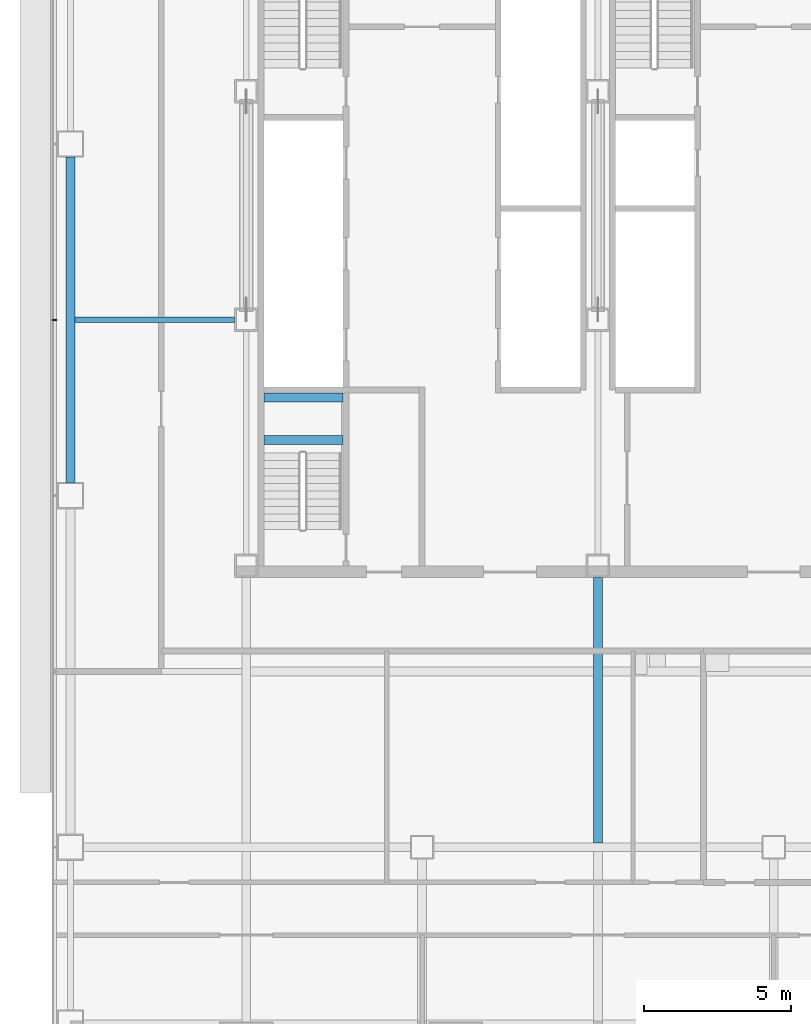
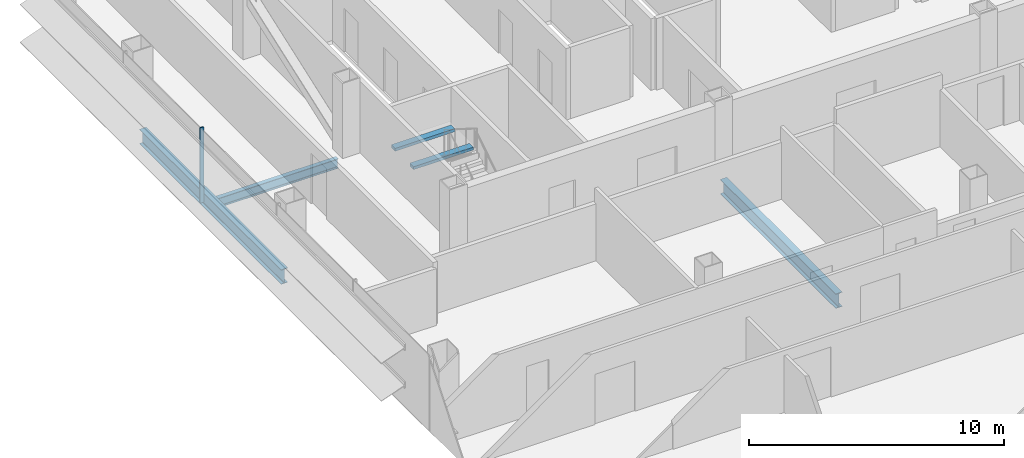
# One storey, part 6 of 26: 5 beams, 1 member, 1 element without a shape of its own.
"""IFC4 building model written with IfcOpenShell, lengths in metres."""

from ifc_helpers import new_model, si_unit, direction, frame, origin, origin_2d, place, context, subcontext, project, spatial, rectangle, i_section, extrude, material, material_profile, profile_set, type_object, element, aggregate, save


model = new_model("IFC4")

# Units and contexts
model_context = context("Model", 3, precision=1e-05, world=origin(), true_north=direction((0.0, 1.0)))
body_context = subcontext(model_context, "Body", "Model", "MODEL_VIEW")
ifc_project = project(units=[si_unit("LENGTHUNIT", "METRE"), si_unit("AREAUNIT", "SQUARE_METRE"), si_unit("VOLUMEUNIT", "CUBIC_METRE"), si_unit("PLANEANGLEUNIT", "RADIAN"), si_unit("MASSUNIT", "GRAM", prefix="KILO")], contexts=[model_context])

# Site, building, storey
site_placement = place(None, origin())
site = spatial("IfcSite", under=ifc_project, at=site_placement, CompositionType="ELEMENT")
building_placement = place(site_placement, origin())
building = spatial("IfcBuilding", under=site, at=building_placement, Name="Sorahane Residences", CompositionType="ELEMENT")
storey_placement = place(building_placement, frame((0.0, 0.0, 64.199951171875)))
storey = spatial("IfcBuildingStorey", under=building, at=storey_placement, Name="L12", CompositionType="ELEMENT", Elevation=64.199951171875)

# Curtain wall, member
ifc_material_1 = material(Name="Dark low-e glass and black anodised aluminium", Category="aluminium")
curtain_wall_type = type_object("IfcCurtainWallType", Name="Curtain wall CW-1 Typical unitised wall", PredefinedType="NOTDEFINED", material=ifc_material_1)
curtain_wall_placement = place(storey_placement, origin())
curtain_wall = element("IfcCurtainWall", 1, at=curtain_wall_placement, inside=storey, type_object=curtain_wall_type, Name="CW-1 curtain wall L12 W1", PredefinedType="NOTDEFINED")
ifc_material_2 = material(Name="Black anodised aluminium", Category="aluminium")
ifc_material_profile_1 = material_profile(ifc_material_2, rectangle(XDim=0.159912109375, YDim=0.050048828125, at=origin_2d()), Name="Curtain wall mullion CW-1 black anodised aluminium 50x160")
ifc_profile_set_1 = profile_set([ifc_material_profile_1], Name="Black anodised aluminium")
member_type = type_object("IfcMemberType", Name="Curtain wall mullion CW-1 black anodised aluminium 50x160", PredefinedType="MULLION", material=ifc_profile_set_1)
member_placement = place(storey_placement, frame((-0.5400390625, 30.0, -0.179931640625), z_axis=(0.0, 0.0, 1.0), x_axis=(-1.0, 0.0, 0.0)))
member = element("IfcMember", 2, at=member_placement, type_object=member_type, Name="CW-1 mullion L12 W1.3", PredefinedType="MULLION", context=body_context, shape_type="SweptSolid", body=[
    extrude(rectangle(XDim=0.159912109375, YDim=0.050048828125, at=origin_2d()), origin(), (0.0, 0.0, 1.0), 3.60009765625),
])
aggregate(curtain_wall, [member])

# Beams
ifc_material_3 = material(Name="Concrete C40", Category="concrete")
ifc_material_profile_2 = material_profile(ifc_material_3, rectangle(XDim=0.300048828125, YDim=0.139892578125, at=origin_2d()), Name="300x140")
ifc_profile_set_2 = profile_set([ifc_material_profile_2], Name="Concrete C40")
beam_type_1 = type_object("IfcBeamType", Name="RC landing beam 300 x 140 Concrete C40", PredefinedType="BEAM", material=ifc_profile_set_2)
for number, where, z_axis, x_axis, name in (
    (3, (6.60009765625, 25.89990234375, 1.530029296875), (1.0, 0.0, 0.0), (0.0, 1.0, 0.0), "Landing beam"),
    (4, (6.60009765625, 27.35009765625, 1.530029296875), (1.0, 0.0, 0.0), (0.0, 1.0, 0.0), "Landing beam"),
):
    element("IfcBeam", number, at=place(storey_placement, frame(where, z_axis=z_axis, x_axis=x_axis)), inside=storey, type_object=beam_type_1, Name=name, PredefinedType="BEAM", context=body_context, shape_type="SweptSolid", body=[
        extrude(rectangle(XDim=0.300048828125, YDim=0.139892578125, at=origin_2d()), origin(), (0.0, 0.0, 1.0), 2.699951171875),
    ])
ifc_material_4 = material(Name="Steel Q355B", Category="steel")
ifc_material_profile_3 = material_profile(ifc_material_4, i_section(OverallWidth=0.199951171875, OverallDepth=0.449951171875, WebThickness=0.009033203125, FlangeThickness=0.013916015625, FilletRadius=0.02001953125, at=origin_2d()), Name="HN 450x200x9x14")
ifc_profile_set_3 = profile_set([ifc_material_profile_3], Name="Steel Q355B")
beam_type_2 = type_object("IfcBeamType", Name="Steel floor beam HN 450x200x9x14 Q355B", PredefinedType="BEAM", material=ifc_profile_set_3)
beam_1_placement = place(storey_placement, frame((0.14990234375, 30.0, -0.405029296875), z_axis=(1.0, 0.0, 0.0), x_axis=(0.0, 1.0, 0.0)))
element("IfcBeam", 5, at=beam_1_placement, inside=storey, type_object=beam_type_2, Name="Beam L12 076", PredefinedType="BEAM", context=body_context, shape_type="SweptSolid", body=[
    extrude(i_section(OverallWidth=0.199951171875, OverallDepth=0.449951171875, WebThickness=0.009033203125, FlangeThickness=0.013916015625, FilletRadius=0.02001953125, at=origin_2d()), origin(), (0.0, 0.0, 1.0), 5.4501953125),
])
ifc_material_5 = material(Name="Steel Q355B", Category="steel")
ifc_material_profile_4 = material_profile(ifc_material_5, i_section(OverallWidth=0.300048828125, OverallDepth=0.699951171875, WebThickness=0.012939453125, FlangeThickness=0.02392578125, FilletRadius=0.028076171875, at=origin_2d()), Name="HN 700x300x13x24")
ifc_profile_set_4 = profile_set([ifc_material_profile_4], Name="Steel Q355B")
beam_type_3 = type_object("IfcBeamType", Name="Steel floor beam HN 700x300x13x24 Q355B", PredefinedType="BEAM", material=ifc_profile_set_4)
beam_2_placement = place(storey_placement, frame((0.0, 24.449951171875, -0.530029296875), z_axis=(0.0, 1.0, 0.0), x_axis=(-1.0, 0.0, 0.0)))
element("IfcBeam", 6, at=beam_2_placement, inside=storey, type_object=beam_type_3, Name="Beam L12 019", PredefinedType="BEAM", context=body_context, shape_type="SweptSolid", body=[
    extrude(i_section(OverallWidth=0.300048828125, OverallDepth=0.699951171875, WebThickness=0.012939453125, FlangeThickness=0.02392578125, FilletRadius=0.028076171875, at=origin_2d()), origin(), (0.0, 0.0, 1.0), 11.10009765625),
])
beam_3_placement = place(storey_placement, frame((18.0, 12.14990234375, -0.530029296875), z_axis=(0.0, 1.0, 0.0), x_axis=(-1.0, 0.0, 0.0)))
element("IfcBeam", 7, at=beam_3_placement, inside=storey, type_object=beam_type_3, Name="Beam L12 030", PredefinedType="BEAM", context=body_context, shape_type="SweptSolid", body=[
    extrude(i_section(OverallWidth=0.300048828125, OverallDepth=0.699951171875, WebThickness=0.012939453125, FlangeThickness=0.02392578125, FilletRadius=0.028076171875, at=origin_2d()), origin(), (0.0, 0.0, 1.0), 9.050048828125),
])

save(model, "model.ifc")
